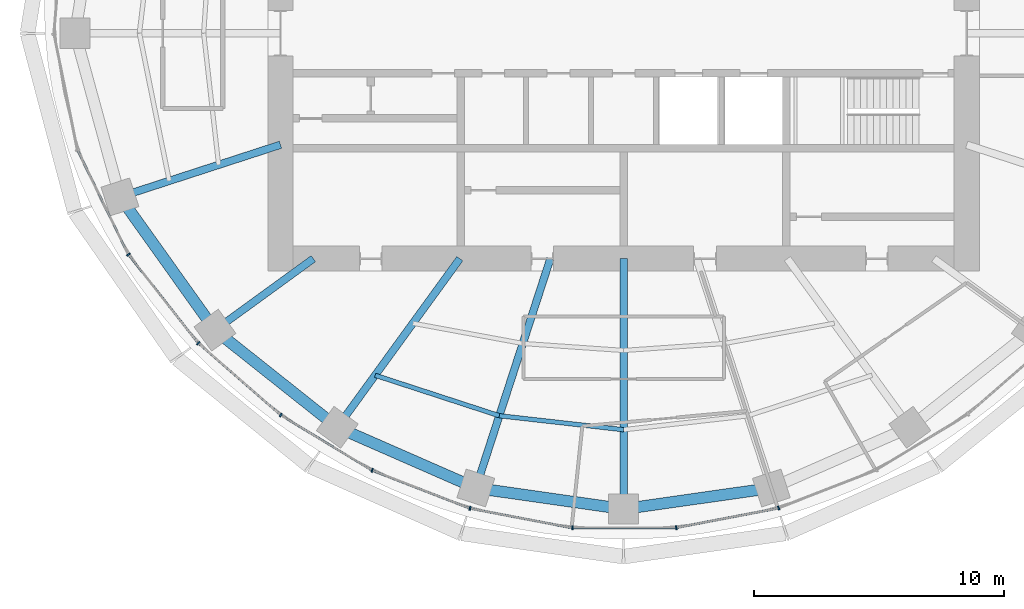
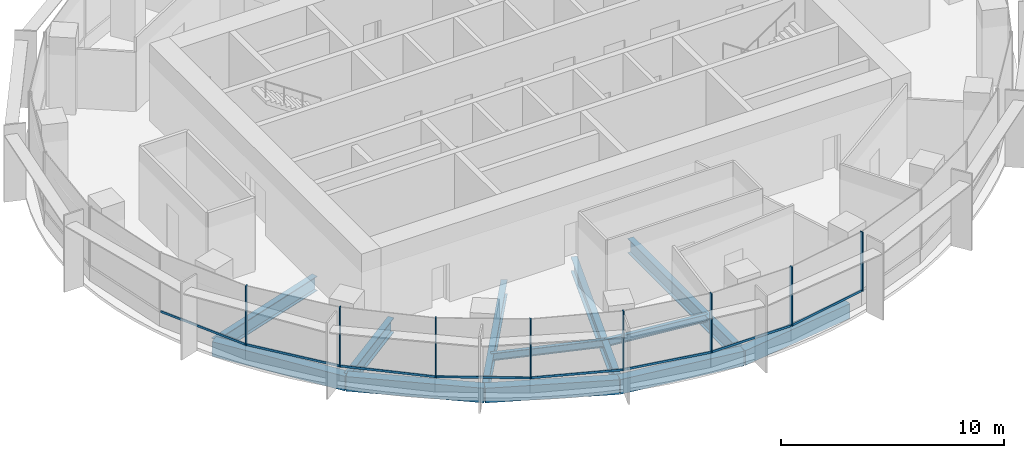
# One storey, part 2 of 13: 16 members, 12 beams, 2 elements without a shape of their own.
"""IFC4 building model written with IfcOpenShell, lengths in metres."""

from ifc_helpers import new_model, si_unit, direction, frame, origin, origin_2d, place, context, subcontext, project, spatial, rectangle, i_section, extrude, material, material_profile, profile_set, type_object, element, aggregate, save


model = new_model("IFC4")

# Units and contexts
model_context = context("Model", 3, precision=1e-05, world=origin(), true_north=direction((0.0, 1.0)))
body_context = subcontext(model_context, "Body", "Model", "MODEL_VIEW")
ifc_project = project(units=[si_unit("LENGTHUNIT", "METRE"), si_unit("AREAUNIT", "SQUARE_METRE"), si_unit("VOLUMEUNIT", "CUBIC_METRE"), si_unit("PLANEANGLEUNIT", "RADIAN"), si_unit("MASSUNIT", "GRAM", prefix="KILO")], contexts=[model_context])

# Site, building, storey
site_placement = place(None, origin())
site = spatial("IfcSite", under=ifc_project, at=site_placement, CompositionType="ELEMENT")
building_placement = place(site_placement, origin())
building = spatial("IfcBuilding", under=site, at=building_placement, Name="Marramba Exchange Tower", CompositionType="ELEMENT")
storey_placement = place(building_placement, frame((0.0, 0.0, 260.199951171875)))
storey = spatial("IfcBuildingStorey", under=building, at=storey_placement, Name="L63", CompositionType="ELEMENT", Elevation=260.199951171875)

# Curtain wall, members
ifc_material_1 = material(Name="Aluminium framing, bronze anodised", Category="aluminium")
curtain_wall_type = type_object("IfcCurtainWallType", Name="Executive floor ribbon curtain wall", PredefinedType="USERDEFINED", material=ifc_material_1)
curtain_wall_1_placement = place(storey_placement, origin())
curtain_wall_1 = element("IfcCurtainWall", 1, at=curtain_wall_1_placement, inside=storey, type_object=curtain_wall_type, Name="Curtain wall CW5 L63 F16-F20", ObjectType="RIBBON CURTAIN WALL", PredefinedType="USERDEFINED")
ifc_material_2 = material(Name="Aluminium mullion, bronze anodised", Category="aluminium")
ifc_material_profile_1 = material_profile(ifc_material_2, rectangle(XDim=0.159912109375, YDim=0.06005859375, at=origin_2d()), Name="CW5 mullion 60x160")
ifc_profile_set_1 = profile_set([ifc_material_profile_1], Name="Aluminium mullion, bronze anodised")
member_type_1 = type_object("IfcMemberType", Name="Executive floor ribbon curtain wall mullion", PredefinedType="MULLION", material=ifc_profile_set_1)
member_1_placement = place(storey_placement, frame((-19.771240234375, -8.83447265625, 0.800048828125), z_axis=(0.0, 0.0, 1.0), x_axis=(0.78594954734, 0.618290634763, 0.0)))
member_1 = element("IfcMember", 2, at=member_1_placement, type_object=member_type_1, Name="CW5 mullion 1", PredefinedType="MULLION", context=body_context, shape_type="SweptSolid", body=[
    extrude(rectangle(XDim=0.159912109375, YDim=0.06005859375, at=origin_2d()), origin(), (0.0, 0.0, 1.0), 3.239990234375),
])
member_2_placement = place(storey_placement, frame((-16.98046875, -12.373291015625, 0.800048828125), z_axis=(0.0, 0.0, 1.0), x_axis=(0.658305290779, 0.752751050569, 0.0)))
member_2 = element("IfcMember", 3, at=member_2_placement, type_object=member_type_1, Name="CW5 mullion 1", PredefinedType="MULLION", context=body_context, shape_type="SweptSolid", body=[
    extrude(rectangle(XDim=0.159912109375, YDim=0.06005859375, at=origin_2d()), origin(), (0.0, 0.0, 1.0), 3.239990234375),
])
member_3_placement = place(storey_placement, frame((-13.687744140625, -15.245849609375, 0.800048828125), z_axis=(0.0, 0.0, 1.0), x_axis=(0.519115121209, 0.854704329539, 0.0)))
member_3 = element("IfcMember", 4, at=member_3_placement, type_object=member_type_1, Name="CW5 mullion 1", PredefinedType="MULLION", context=body_context, shape_type="SweptSolid", body=[
    extrude(rectangle(XDim=0.159912109375, YDim=0.06005859375, at=origin_2d()), origin(), (0.0, 0.0, 1.0), 3.239990234375),
])

curtain_wall_2_placement = place(storey_placement, origin())
curtain_wall_2 = element("IfcCurtainWall", 5, at=curtain_wall_2_placement, inside=storey, type_object=curtain_wall_type, Name="Curtain wall CW5 L63 F21-F25", ObjectType="RIBBON CURTAIN WALL", PredefinedType="USERDEFINED")
member_4_placement = place(storey_placement, frame((-10.042724609375, -17.45361328125, 0.800048828125), z_axis=(0.0, 0.0, 1.0), x_axis=(0.363010271018, 0.931785137859, 0.0)))
member_4 = element("IfcMember", 6, at=member_4_placement, type_object=member_type_1, Name="CW5 mullion 1", PredefinedType="MULLION", context=body_context, shape_type="SweptSolid", body=[
    extrude(rectangle(XDim=0.159912109375, YDim=0.06005859375, at=origin_2d()), origin(), (0.0, 0.0, 1.0), 3.239990234375),
])
member_5_placement = place(storey_placement, frame((-6.1328125, -18.97119140625, 0.800048828125), z_axis=(0.0, 0.0, 1.0), x_axis=(0.187873198899, 0.982193291127, 0.0)))
member_5 = element("IfcMember", 7, at=member_5_placement, type_object=member_type_1, Name="CW5 mullion 1", PredefinedType="MULLION", context=body_context, shape_type="SweptSolid", body=[
    extrude(rectangle(XDim=0.159912109375, YDim=0.06005859375, at=origin_2d()), origin(), (0.0, 0.0, 1.0), 3.239990234375),
])
member_6_placement = place(storey_placement, frame((-2.04541015625, -19.7470703125, 0.800048828125), z_axis=(0.0, 0.0, 1.0), x_axis=(0.0, 1.0, 0.0)))
member_6 = element("IfcMember", 8, at=member_6_placement, type_object=member_type_1, Name="CW5 mullion 1", PredefinedType="MULLION", context=body_context, shape_type="SweptSolid", body=[
    extrude(rectangle(XDim=0.159912109375, YDim=0.06005859375, at=origin_2d()), origin(), (0.0, 0.0, 1.0), 3.239990234375),
])
member_7_placement = place(storey_placement, frame((2.10498046875, -19.741455078125, 0.800048828125), z_axis=(0.0, 0.0, 1.0), x_axis=(-0.187873198899, 0.982193291127, 0.0)))
member_7 = element("IfcMember", 9, at=member_7_placement, type_object=member_type_1, Name="CW5 mullion 1", PredefinedType="MULLION", context=body_context, shape_type="SweptSolid", body=[
    extrude(rectangle(XDim=0.159912109375, YDim=0.06005859375, at=origin_2d()), origin(), (0.0, 0.0, 1.0), 3.239990234375),
])
member_8_placement = place(storey_placement, frame((6.190185546875, -18.95458984375, 0.800048828125), z_axis=(0.0, 0.0, 1.0), x_axis=(-0.363010271018, 0.931785137859, 0.0)))
member_8 = element("IfcMember", 10, at=member_8_placement, type_object=member_type_1, Name="CW5 mullion 1", PredefinedType="MULLION", context=body_context, shape_type="SweptSolid", body=[
    extrude(rectangle(XDim=0.159912109375, YDim=0.06005859375, at=origin_2d()), origin(), (0.0, 0.0, 1.0), 3.239990234375),
])

# Member
ifc_material_3 = material(Name="Aluminium transom, bronze anodised", Category="aluminium")
ifc_material_profile_2 = material_profile(ifc_material_3, rectangle(XDim=0.06005859375, YDim=0.1201171875, at=origin_2d()), Name="CW5 transom 60x120")
ifc_profile_set_2 = profile_set([ifc_material_profile_2], Name="Aluminium transom, bronze anodised")
member_type_2 = type_object("IfcMemberType", Name="Executive floor ribbon curtain wall transom", PredefinedType="USERDEFINED", material=ifc_profile_set_2)
member_9_placement = place(storey_placement, frame((-21.788818359375, -4.69091796875, 0.830078125), z_axis=(0.436519399678, -0.899694844769, 0.0), x_axis=(0.899694844769, 0.436519399678, 0.0)))
member_9 = element("IfcMember", 11, at=member_9_placement, type_object=member_type_2, Name="CW5 sill transom", ObjectType="TRANSOM", PredefinedType="USERDEFINED", context=body_context, shape_type="SweptSolid", body=[
    extrude(rectangle(XDim=0.06005859375, YDim=0.1201171875, at=origin_2d()), origin(), (0.0, 0.0, 1.0), 4.579345703125),
])

member_10_placement = place(storey_placement, frame((-19.752685546875, -8.858154296875, 0.830078125), z_axis=(0.61829420435, -0.785946739206, 0.0), x_axis=(0.785946739206, 0.61829420435, 0.0)))
member_10 = element("IfcMember", 12, at=member_10_placement, type_object=member_type_2, Name="CW5 sill transom", ObjectType="TRANSOM", PredefinedType="USERDEFINED", context=body_context, shape_type="SweptSolid", body=[
    extrude(rectangle(XDim=0.06005859375, YDim=0.1201171875, at=origin_2d()), origin(), (0.0, 0.0, 1.0), 4.447265625),
])

member_11_placement = place(storey_placement, frame((-16.957763671875, -12.392822265625, 0.830078125), z_axis=(0.752741590247, -0.658316108198, 0.0), x_axis=(0.658316108198, 0.752741590247, 0.0)))
member_11 = element("IfcMember", 13, at=member_11_placement, type_object=member_type_2, Name="CW5 sill transom", ObjectType="TRANSOM", PredefinedType="USERDEFINED", context=body_context, shape_type="SweptSolid", body=[
    extrude(rectangle(XDim=0.06005859375, YDim=0.1201171875, at=origin_2d()), origin(), (0.0, 0.0, 1.0), 4.31005859375),
])

member_12_placement = place(storey_placement, frame((-13.662109375, -15.261474609375, 0.830078125), z_axis=(0.854701897511, -0.519119125434, 0.0), x_axis=(0.519119125434, 0.854701897511, 0.0)))
member_12 = element("IfcMember", 14, at=member_12_placement, type_object=member_type_2, Name="CW5 sill transom", ObjectType="TRANSOM", PredefinedType="USERDEFINED", context=body_context, shape_type="SweptSolid", body=[
    extrude(rectangle(XDim=0.06005859375, YDim=0.1201171875, at=origin_2d()), origin(), (0.0, 0.0, 1.0), 4.2021484375),
])

aggregate(curtain_wall_1, [member_9, member_1, member_10, member_2, member_11, member_3, member_12])

member_13_placement = place(storey_placement, frame((-10.0146484375, -17.464599609375, 0.830078125), z_axis=(0.931790621773, -0.362996194438, 0.0), x_axis=(0.362996194438, 0.931790621773, 0.0)))
member_13 = element("IfcMember", 15, at=member_13_placement, type_object=member_type_2, Name="CW5 sill transom", ObjectType="TRANSOM", PredefinedType="USERDEFINED", context=body_context, shape_type="SweptSolid", body=[
    extrude(rectangle(XDim=0.06005859375, YDim=0.1201171875, at=origin_2d()), origin(), (0.0, 0.0, 1.0), 4.13427734375),
])

member_14_placement = place(storey_placement, frame((-6.103271484375, -18.976806640625, 0.830078125), z_axis=(0.982201256187, -0.187831553114, 0.0), x_axis=(0.187831553114, 0.982201256187, 0.0)))
member_14 = element("IfcMember", 16, at=member_14_placement, type_object=member_type_2, Name="CW5 sill transom", ObjectType="TRANSOM", PredefinedType="USERDEFINED", context=body_context, shape_type="SweptSolid", body=[
    extrude(rectangle(XDim=0.06005859375, YDim=0.1201171875, at=origin_2d()), origin(), (0.0, 0.0, 1.0), 4.100830078125),
])

member_15_placement = place(storey_placement, frame((-2.015625, -19.7470703125, 0.830078125), z_axis=(1.0, 0.0, 0.0), x_axis=(0.0, 1.0, 0.0)))
member_15 = element("IfcMember", 17, at=member_15_placement, type_object=member_type_2, Name="CW5 sill transom", ObjectType="TRANSOM", PredefinedType="USERDEFINED", context=body_context, shape_type="SweptSolid", body=[
    extrude(rectangle(XDim=0.06005859375, YDim=0.1201171875, at=origin_2d()), origin(), (0.0, 0.0, 1.0), 4.091064453125),
])

member_16_placement = place(storey_placement, frame((2.134521484375, -19.73583984375, 0.830078125), z_axis=(0.982190271195, 0.187888986295, 0.0), x_axis=(-0.187888986295, 0.982190271195, 0.0)))
member_16 = element("IfcMember", 18, at=member_16_placement, type_object=member_type_2, Name="CW5 sill transom", ObjectType="TRANSOM", PredefinedType="USERDEFINED", context=body_context, shape_type="SweptSolid", body=[
    extrude(rectangle(XDim=0.06005859375, YDim=0.1201171875, at=origin_2d()), origin(), (0.0, 0.0, 1.0), 4.100830078125),
])

aggregate(curtain_wall_2, [member_4, member_13, member_5, member_14, member_6, member_15, member_7, member_16, member_8])

# Beams
ifc_material_4 = material(Name="Steel AS/NZS 3679.1 grade 300", Category="steel")
ifc_material_profile_3 = material_profile(ifc_material_4, i_section(OverallWidth=0.177978515625, OverallDepth=0.403076171875, WebThickness=0.007568359375, FlangeThickness=0.010986328125, FilletRadius=0.011474609375, at=origin_2d()), Name="410UB53.7")
ifc_profile_set_3 = profile_set([ifc_material_profile_3], Name="Steel AS/NZS 3679.1 grade 300")
beam_type_1 = type_object("IfcBeamType", Name="Floor joist 410UB53.7", PredefinedType="JOIST", material=ifc_profile_set_3)
beam_1_placement = place(storey_placement, frame((-9.9208984375, -13.655029296875, -0.361572265625), z_axis=(0.950764024931, -0.309915744834, 0.0), x_axis=(0.309915744834, 0.950764024931, 0.0)))
element("IfcBeam", 19, at=beam_1_placement, inside=storey, type_object=beam_type_1, Name="Joist L63 bay 14 row 2", PredefinedType="JOIST", context=body_context, shape_type="SweptSolid", body=[
    extrude(i_section(OverallWidth=0.177978515625, OverallDepth=0.403076171875, WebThickness=0.007568359375, FlangeThickness=0.010986328125, FilletRadius=0.011474609375, at=origin_2d()), origin(), (0.0, 0.0, 1.0), 5.2158203125),
])
beam_2_placement = place(storey_placement, frame((-4.9619140625, -15.271484375, -0.361572265625), z_axis=(0.993712018573, -0.111966174106, 0.0), x_axis=(0.111966174106, 0.993712018573, 0.0)))
element("IfcBeam", 20, at=beam_2_placement, inside=storey, type_object=beam_type_1, Name="Joist L63 bay 15 row 2", PredefinedType="JOIST", context=body_context, shape_type="SweptSolid", body=[
    extrude(i_section(OverallWidth=0.177978515625, OverallDepth=0.403076171875, WebThickness=0.007568359375, FlangeThickness=0.010986328125, FilletRadius=0.011474609375, at=origin_2d()), origin(), (0.0, 0.0, 1.0), 4.993408203125),
])
ifc_material_5 = material(Name="Steel AS/NZS 3679.2 grade 300", Category="steel")
ifc_material_profile_4 = material_profile(ifc_material_5, i_section(OverallWidth=0.300048828125, OverallDepth=0.800048828125, WebThickness=0.013916015625, FlangeThickness=0.031982421875, at=origin_2d()), Name="800WB192")
ifc_profile_set_4 = profile_set([ifc_material_profile_4], Name="Steel AS/NZS 3679.2 grade 300")
beam_type_2 = type_object("IfcBeamType", Name="Radial girder 800WB192", PredefinedType="BEAM", material=ifc_profile_set_4)
beam_3_placement = place(storey_placement, frame((-13.699951171875, -4.451416015625, -0.56005859375), z_axis=(-0.951057759669, -0.309013167637, 0.0), x_axis=(0.309013167637, -0.951057759669, 0.0)))
element("IfcBeam", 21, at=beam_3_placement, inside=storey, type_object=beam_type_2, Name="Radial girder L63 TC12", PredefinedType="BEAM", context=body_context, shape_type="SweptSolid", body=[
    extrude(i_section(OverallWidth=0.300048828125, OverallDepth=0.800048828125, WebThickness=0.013916015625, FlangeThickness=0.031982421875, at=origin_2d()), origin(), (0.0, 0.0, 1.0), 6.7392578125),
])
beam_4_placement = place(storey_placement, frame((-12.387451171875, -9.0, -0.56005859375), z_axis=(-0.809025189606, -0.58777397236, 0.0), x_axis=(0.58777397236, -0.809025189606, 0.0)))
element("IfcBeam", 22, at=beam_4_placement, inside=storey, type_object=beam_type_2, Name="Radial girder L63 TC13", PredefinedType="BEAM", context=body_context, shape_type="SweptSolid", body=[
    extrude(i_section(OverallWidth=0.300048828125, OverallDepth=0.800048828125, WebThickness=0.013916015625, FlangeThickness=0.031982421875, at=origin_2d()), origin(), (0.0, 0.0, 1.0), 4.855224609375),
])
beam_5_placement = place(storey_placement, frame((-6.538818359375, -9.0, -0.56005859375), z_axis=(-0.587787877172, -0.809015087282, 0.0), x_axis=(0.809015087282, -0.587787877172, 0.0)))
element("IfcBeam", 23, at=beam_5_placement, inside=storey, type_object=beam_type_2, Name="Radial girder L63 TC14", PredefinedType="BEAM", context=body_context, shape_type="SweptSolid", body=[
    extrude(i_section(OverallWidth=0.300048828125, OverallDepth=0.800048828125, WebThickness=0.013916015625, FlangeThickness=0.031982421875, at=origin_2d()), origin(), (0.0, 0.0, 1.0), 8.322021484375),
])
beam_6_placement = place(storey_placement, frame((-2.92431640625, -9.0, -0.56005859375), z_axis=(-0.309022428985, -0.951054750466, 0.0), x_axis=(0.951054750466, -0.309022428985, 0.0)))
element("IfcBeam", 24, at=beam_6_placement, inside=storey, type_object=beam_type_2, Name="Radial girder L63 TC15", PredefinedType="BEAM", context=body_context, shape_type="SweptSolid", body=[
    extrude(i_section(OverallWidth=0.300048828125, OverallDepth=0.800048828125, WebThickness=0.013916015625, FlangeThickness=0.031982421875, at=origin_2d()), origin(), (0.0, 0.0, 1.0), 9.628173828125),
])
beam_7_placement = place(storey_placement, frame((0.0, -9.0, -0.56005859375), z_axis=(0.0, -1.0, 0.0), x_axis=(1.0, 0.0, 0.0)))
element("IfcBeam", 25, at=beam_7_placement, inside=storey, type_object=beam_type_2, Name="Radial girder L63 TC16", PredefinedType="BEAM", context=body_context, shape_type="SweptSolid", body=[
    extrude(i_section(OverallWidth=0.300048828125, OverallDepth=0.800048828125, WebThickness=0.013916015625, FlangeThickness=0.031982421875, at=origin_2d()), origin(), (0.0, 0.0, 1.0), 9.99609375),
])
ifc_material_6 = material(Name="Concrete N50", Category="concrete")
ifc_material_profile_5 = material_profile(ifc_material_6, rectangle(XDim=0.449951171875, YDim=0.800048828125, at=origin_2d()), Name="RC 450x800")
ifc_profile_set_5 = profile_set([ifc_material_profile_5], Name="Concrete N50")
beam_type_3 = type_object("IfcBeamType", Name="Ring beam RC 450x800 N50", PredefinedType="SPANDREL", material=ifc_profile_set_5)
beam_8_placement = place(storey_placement, frame((-20.109375, -6.533935546875, -0.56005859375), z_axis=(0.580637181111, -0.814162430914, 0.0), x_axis=(0.814162430914, 0.580637181111, 0.0)))
element("IfcBeam", 26, at=beam_8_placement, inside=storey, type_object=beam_type_3, Name="Ring beam L63 TC12-TC13", PredefinedType="SPANDREL", context=body_context, shape_type="SweptSolid", body=[
    extrude(rectangle(XDim=0.449951171875, YDim=0.800048828125, at=origin_2d()), origin(), (0.0, 0.0, 1.0), 6.5341796875),
])
beam_9_placement = place(storey_placement, frame((-16.3154296875, -11.853759765625, -0.56005859375), z_axis=(0.783139438128, -0.621846138887, 0.0), x_axis=(0.621846138887, 0.783139438128, 0.0)))
element("IfcBeam", 27, at=beam_9_placement, inside=storey, type_object=beam_type_3, Name="Ring beam L63 TC13-TC14", PredefinedType="SPANDREL", context=body_context, shape_type="SweptSolid", body=[
    extrude(rectangle(XDim=0.449951171875, YDim=0.800048828125, at=origin_2d()), origin(), (0.0, 0.0, 1.0), 6.23779296875),
])
beam_10_placement = place(storey_placement, frame((-11.430419921875, -15.732666015625, -0.56005859375), z_axis=(0.915876892158, -0.4014592363, 0.0), x_axis=(0.4014592363, 0.915876892158, 0.0)))
element("IfcBeam", 28, at=beam_10_placement, inside=storey, type_object=beam_type_3, Name="Ring beam L63 TC14-TC15", PredefinedType="SPANDREL", context=body_context, shape_type="SweptSolid", body=[
    extrude(rectangle(XDim=0.449951171875, YDim=0.800048828125, at=origin_2d()), origin(), (0.0, 0.0, 1.0), 6.038818359375),
])
for number, where, z_axis, x_axis, name in (
    (29, (-5.899658203125, -18.156982421875, -0.56005859375), (0.990036163016, -0.140813337152, 0.0), (0.140813337152, 0.990036163016, 0.0), "Ring beam L63 TC15-TC16"),
    (30, (0.0, -18.99609375, -0.56005859375), (0.990036163016, 0.140813337152, 0.0), (-0.140813337152, 0.990036163016, 0.0), "Ring beam L63 TC16-TC17"),
):
    element("IfcBeam", number, at=place(storey_placement, frame(where, z_axis=z_axis, x_axis=x_axis)), inside=storey, type_object=beam_type_3, Name=name, PredefinedType="SPANDREL", context=body_context, shape_type="SweptSolid", body=[
        extrude(rectangle(XDim=0.449951171875, YDim=0.800048828125, at=origin_2d()), origin(), (0.0, 0.0, 1.0), 5.958984375),
    ])

save(model, "model.ifc")
